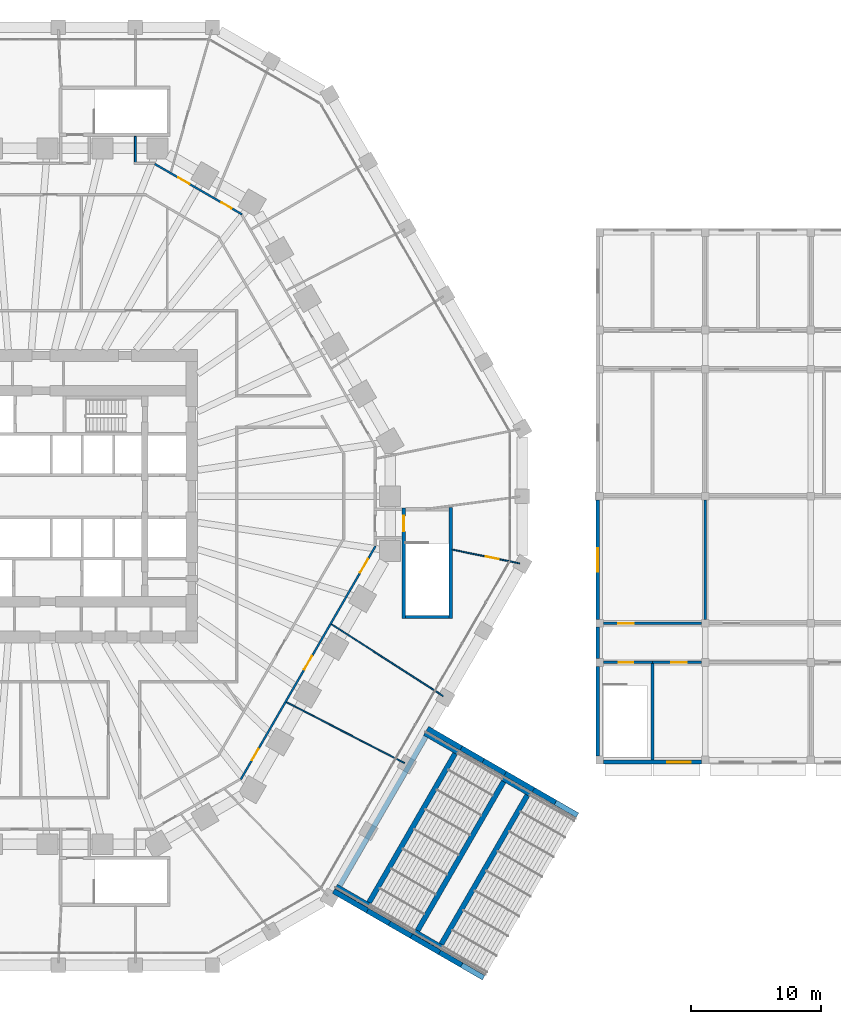
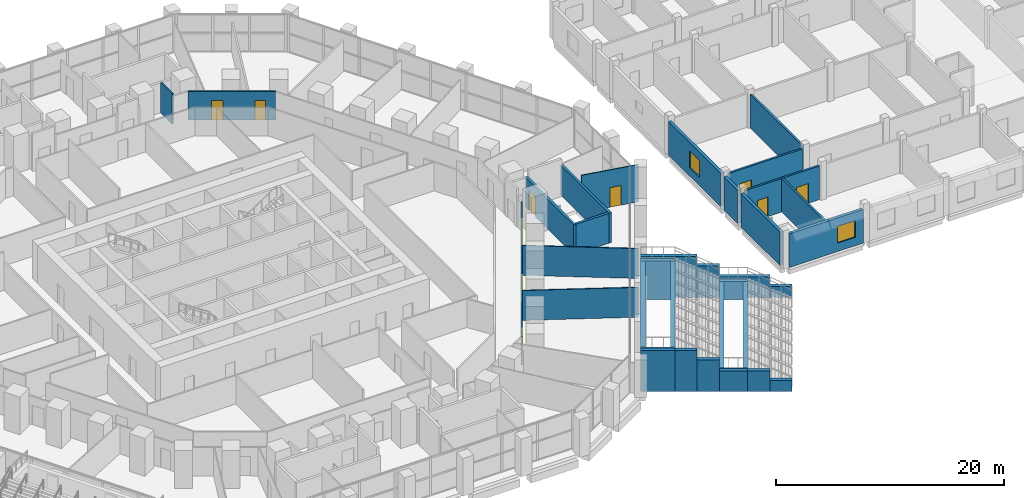
# One storey, part 24 of 38: 38 walls, 10 doors, 2 windows, 12 openings.
"""IFC4 building model written with IfcOpenShell, lengths in metres."""

from ifc_helpers import new_model, si_unit, direction, frame, frame_2d, origin, place, context, subcontext, project, spatial, rectangle, extrude, material, layer, layer_set, type_object, element, fill, save


model = new_model("IFC4")

# Units and contexts
model_context = context("Model", 3, precision=1e-05, world=origin(), true_north=direction((0.0, 1.0)))
body_context = subcontext(model_context, "Body", "Model", "MODEL_VIEW")
ifc_project = project(units=[si_unit("LENGTHUNIT", "METRE"), si_unit("AREAUNIT", "SQUARE_METRE"), si_unit("VOLUMEUNIT", "CUBIC_METRE"), si_unit("PLANEANGLEUNIT", "RADIAN"), si_unit("MASSUNIT", "GRAM", prefix="KILO")], contexts=[model_context])

# Site, building, storey
site_placement = place(None, origin())
site = spatial("IfcSite", under=ifc_project, at=site_placement, CompositionType="ELEMENT")
building_placement = place(site_placement, origin())
building = spatial("IfcBuilding", under=site, at=building_placement, Name="Frailejon Research Tower", CompositionType="ELEMENT")
storey_placement = place(building_placement, frame((0.0, 0.0, 10.199951171875)))
storey = spatial("IfcBuildingStorey", under=building, at=storey_placement, Name="L02", CompositionType="ELEMENT", Elevation=10.199951171875)

# Wall, openings, doors
ifc_material_1 = material(Name="Gypsum board and masonry partition", Category="masonry")
ifc_layer_1 = layer(ifc_material_1, 0.14990234375)
ifc_layer_set_1 = layer_set([ifc_layer_1], Name="Corridor wall EI 60, gypsum on steel studs 150")
wall_type_1 = type_object("IfcWallType", Name="Corridor wall EI 60, gypsum on steel studs 150", PredefinedType="PARTITIONING", material=ifc_layer_set_1)
wall_1_placement = place(storey_placement, frame((10.336669921875, 25.512451171875, 0.0), z_axis=(0.0, 0.0, 1.0), x_axis=(0.866023143435, -0.50000391502, 0.0)))
wall_1 = element("IfcWall", 1, at=wall_1_placement, inside=storey, type_object=wall_type_1, Name="T:IW:L02:009", PredefinedType="PARTITIONING", context=body_context, shape_type="SweptSolid", body=[
    extrude(rectangle(XDim=7.7587890625, YDim=0.14990234375, at=frame_2d((3.87939453125, 0.0))), origin(), (0.0, 0.0, 1.0), 3.050048828125),
])
opening_1_placement = place(wall_1_placement, frame((5.92724609375, 0.0, 0.0)))
opening_1 = element("IfcOpeningElement", 2, at=opening_1_placement, cuts=wall_1, Name="Opening D1060", PredefinedType="OPENING", context=body_context, shape_type="SweptSolid", body=[
    extrude(rectangle(XDim=0.89990234375, YDim=2.10009765625, at=frame_2d((0.449951171875, 1.050048828125))), frame((0.0, 0.0849609375, 0.0), z_axis=(0.0, -1.0, 0.0), x_axis=(1.0, 0.0, 0.0)), (0.0, 0.0, 1.0), 0.169921875),
])
opening_2_placement = place(wall_1_placement, frame((2.101806640625, 0.0, 0.0)))
opening_2 = element("IfcOpeningElement", 3, at=opening_2_placement, cuts=wall_1, Name="Opening D1061", PredefinedType="OPENING", context=body_context, shape_type="SweptSolid", body=[
    extrude(rectangle(XDim=1.0, YDim=2.10009765625, at=frame_2d((0.5, 1.050048828125))), frame((0.0, 0.0849609375, 0.0), z_axis=(0.0, -1.0, 0.0), x_axis=(1.0, 0.0, 0.0)), (0.0, 0.0, 1.0), 0.169921875),
])
ifc_material_2 = material(Name="Timber door leaf", Category="wood")
door_type_1 = type_object("IfcDoorType", Name="Door laboratory, timber, vision panel 900", OperationType="NOTDEFINED", PredefinedType="DOOR", material=ifc_material_2)
door_1_placement = place(opening_1_placement, origin())
door_1 = element("IfcDoor", 4, at=door_1_placement, inside=storey, type_object=door_type_1, Name="D1060", OperationType="SINGLE_SWING_RIGHT", OverallHeight=2.10009765625, OverallWidth=0.89990234375, PredefinedType="DOOR", context=body_context, shape_type="SweptSolid", body=[
    extrude(rectangle(XDim=0.89990234375, YDim=2.10009765625, at=frame_2d((0.449951171875, 1.050048828125))), frame((0.0, 0.02490234375, 0.0), z_axis=(0.0, -1.0, 0.0), x_axis=(1.0, 0.0, 0.0)), (0.0, 0.0, 1.0), 0.050048828125),
])
fill(opening_1, door_1)
ifc_material_3 = material(Name="Timber door leaf", Category="wood")
door_type_2 = type_object("IfcDoorType", Name="Door single leaf, timber, steel frame 1000", OperationType="NOTDEFINED", PredefinedType="DOOR", material=ifc_material_3)
door_2_placement = place(opening_2_placement, origin())
door_2 = element("IfcDoor", 5, at=door_2_placement, inside=storey, type_object=door_type_2, Name="D1061", OperationType="SINGLE_SWING_LEFT", OverallHeight=2.10009765625, OverallWidth=1.0, PredefinedType="DOOR", context=body_context, shape_type="SweptSolid", body=[
    extrude(rectangle(XDim=1.0, YDim=2.10009765625, at=frame_2d((0.5, 1.050048828125))), frame((0.0, 0.02490234375, 0.0), z_axis=(0.0, -1.0, 0.0), x_axis=(1.0, 0.0, 0.0)), (0.0, 0.0, 1.0), 0.050048828125),
])
fill(opening_2, door_2)

# Wall
wall_2_placement = place(storey_placement, frame((8.870849609375, 25.625, 0.0), z_axis=(0.0, 0.0, 1.0), x_axis=(0.0, 1.0, 0.0)))
element("IfcWall", 6, at=wall_2_placement, inside=storey, type_object=wall_type_1, Name="T:IW:L02:013", PredefinedType="PARTITIONING", context=body_context, shape_type="SweptSolid", body=[
    extrude(rectangle(XDim=2.0, YDim=0.14990234375, at=frame_2d((1.0, 0.0))), origin(), (0.0, 0.0, 1.0), 3.25),
])

# Wall, openings, doors
wall_3_placement = place(storey_placement, frame((16.95361328125, -21.735595703125, 0.0), z_axis=(0.0, 0.0, 1.0), x_axis=(0.499996491498, 0.86602742941, 0.0)))
wall_3 = element("IfcWall", 7, at=wall_3_placement, inside=storey, type_object=wall_type_1, Name="T:IW:L02:037", PredefinedType="PARTITIONING", context=body_context, shape_type="SweptSolid", body=[
    extrude(rectangle(XDim=20.693603515625, YDim=0.14990234375, at=frame_2d((10.3466796875, 0.0))), origin(), (0.0, 0.0, 1.0), 3.050048828125),
])
opening_3_placement = place(wall_3_placement, frame((1.70361328125, 0.0, 0.0)))
opening_3 = element("IfcOpeningElement", 8, at=opening_3_placement, cuts=wall_3, Name="Opening D1094", PredefinedType="OPENING", context=body_context, shape_type="SweptSolid", body=[
    extrude(rectangle(XDim=1.0, YDim=2.10009765625, at=frame_2d((0.5, 1.050048828125))), frame((0.0, 0.0849609375, 0.0), z_axis=(0.0, -1.0, 0.0), x_axis=(1.0, 0.0, 0.0)), (0.0, 0.0, 1.0), 0.169921875),
])
opening_4_placement = place(wall_3_placement, frame((9.74658203125, 0.0, 0.0)))
opening_4 = element("IfcOpeningElement", 9, at=opening_4_placement, cuts=wall_3, Name="Opening D1095", PredefinedType="OPENING", context=body_context, shape_type="SweptSolid", body=[
    extrude(rectangle(XDim=1.199951171875, YDim=2.10009765625, at=frame_2d((0.60009765625, 1.050048828125))), frame((0.0, 0.0849609375, 0.0), z_axis=(0.0, -1.0, 0.0), x_axis=(1.0, 0.0, 0.0)), (0.0, 0.0, 1.0), 0.169921875),
])
opening_5_placement = place(wall_3_placement, frame((18.331298828125, 0.0, 0.0)))
opening_5 = element("IfcOpeningElement", 10, at=opening_5_placement, cuts=wall_3, Name="Opening D1096", PredefinedType="OPENING", context=body_context, shape_type="SweptSolid", body=[
    extrude(rectangle(XDim=1.199951171875, YDim=2.10009765625, at=frame_2d((0.60009765625, 1.050048828125))), frame((0.0, 0.0849609375, 0.0), z_axis=(0.0, -1.0, 0.0), x_axis=(1.0, 0.0, 0.0)), (0.0, 0.0, 1.0), 0.169921875),
])
door_3_placement = place(opening_3_placement, origin())
door_3 = element("IfcDoor", 11, at=door_3_placement, inside=storey, type_object=door_type_2, Name="D1094", OperationType="SINGLE_SWING_RIGHT", OverallHeight=2.10009765625, OverallWidth=1.0, PredefinedType="DOOR", context=body_context, shape_type="SweptSolid", body=[
    extrude(rectangle(XDim=1.0, YDim=2.10009765625, at=frame_2d((0.5, 1.050048828125))), frame((0.0, 0.02490234375, 0.0), z_axis=(0.0, -1.0, 0.0), x_axis=(1.0, 0.0, 0.0)), (0.0, 0.0, 1.0), 0.050048828125),
])
fill(opening_3, door_3)
ifc_material_4 = material(Name="Timber door leaf", Category="wood")
door_type_3 = type_object("IfcDoorType", Name="Door single leaf, timber, steel frame 1200", OperationType="NOTDEFINED", PredefinedType="DOOR", material=ifc_material_4)
door_4_placement = place(opening_4_placement, origin())
door_4 = element("IfcDoor", 12, at=door_4_placement, inside=storey, type_object=door_type_3, Name="D1095", OperationType="DOUBLE_DOOR_SINGLE_SWING", OverallHeight=2.10009765625, OverallWidth=1.199951171875, PredefinedType="DOOR", context=body_context, shape_type="SweptSolid", body=[
    extrude(rectangle(XDim=1.199951171875, YDim=2.10009765625, at=frame_2d((0.60009765625, 1.050048828125))), frame((0.0, 0.02490234375, 0.0), z_axis=(0.0, -1.0, 0.0), x_axis=(1.0, 0.0, 0.0)), (0.0, 0.0, 1.0), 0.050048828125),
])
fill(opening_4, door_4)
door_5_placement = place(opening_5_placement, origin())
door_5 = element("IfcDoor", 13, at=door_5_placement, inside=storey, type_object=door_type_3, Name="D1096", OperationType="DOUBLE_DOOR_SINGLE_SWING", OverallHeight=2.10009765625, OverallWidth=1.199951171875, PredefinedType="DOOR", context=body_context, shape_type="SweptSolid", body=[
    extrude(rectangle(XDim=1.199951171875, YDim=2.10009765625, at=frame_2d((0.60009765625, 1.050048828125))), frame((0.0, 0.02490234375, 0.0), z_axis=(0.0, -1.0, 0.0), x_axis=(1.0, 0.0, 0.0)), (0.0, 0.0, 1.0), 0.050048828125),
])
fill(opening_5, door_5)

# Wall, opening, window
ifc_material_5 = material(Name="Insulated masonry cavity wall", Category="masonry")
ifc_layer_2 = layer(ifc_material_5, 0.300048828125)
ifc_layer_set_2 = layer_set([ifc_layer_2], Name="HC facade wall 300")
wall_type_2 = type_object("IfcWallType", Name="HC facade wall 300", PredefinedType="SOLIDWALL", material=ifc_layer_set_2)
wall_4_placement = place(storey_placement, frame((44.800048828125, -20.39990234375, 0.0), z_axis=(0.0, 0.0, 1.0), x_axis=(1.0, 0.0, 0.0)))
wall_4 = element("IfcWall", 14, at=wall_4_placement, inside=storey, type_object=wall_type_2, Name="HC facade wall", PredefinedType="SOLIDWALL", context=body_context, shape_type="SweptSolid", body=[
    extrude(rectangle(XDim=7.5, YDim=0.300048828125, at=frame_2d((3.75, 0.0))), origin(), (0.0, 0.0, 1.0), 3.60009765625),
])
opening_6_placement = place(wall_4_placement, frame((4.875, 0.0, 0.89990234375)))
opening_6 = element("IfcOpeningElement", 15, at=opening_6_placement, cuts=wall_4, Name="Opening HW201", PredefinedType="OPENING", context=body_context, shape_type="SweptSolid", body=[
    extrude(rectangle(XDim=1.800048828125, YDim=1.800048828125, at=frame_2d((0.89990234375, 0.89990234375))), frame((0.0, 0.159912109375, 0.0), z_axis=(0.0, -1.0, 0.0), x_axis=(1.0, 0.0, 0.0)), (0.0, 0.0, 1.0), 0.320068359375),
])
ifc_material_6 = material(Name="Aluminium framed double glazing", Category="aluminium")
window_type = type_object("IfcWindowType", Name="HC window 1800x1800", PartitioningType="SINGLE_PANEL", PredefinedType="WINDOW", material=ifc_material_6)
window_1_placement = place(opening_6_placement, origin())
window_1 = element("IfcWindow", 16, at=window_1_placement, inside=storey, type_object=window_type, Name="Window HW201 (HCW1)", OverallHeight=1.800048828125, OverallWidth=1.800048828125, PartitioningType="SINGLE_PANEL", PredefinedType="WINDOW", context=body_context, shape_type="SweptSolid", body=[
    extrude(rectangle(XDim=1.800048828125, YDim=1.800048828125, at=frame_2d((0.89990234375, 0.89990234375))), frame((0.0, 0.030029296875, 0.0), z_axis=(0.0, -1.0, 0.0), x_axis=(1.0, 0.0, 0.0)), (0.0, 0.0, 1.0), 0.06005859375),
])
fill(opening_6, window_1)

# Walls
wall_5_placement = place(storey_placement, frame((44.35009765625, -19.949951171875, 0.0), z_axis=(0.0, 0.0, 1.0), x_axis=(0.0, 1.0, 0.0)))
element("IfcWall", 17, at=wall_5_placement, inside=storey, type_object=wall_type_2, Name="HC facade wall", PredefinedType="SOLIDWALL", context=body_context, shape_type="SweptSolid", body=[
    extrude(rectangle(XDim=6.89990234375, YDim=0.300048828125, at=frame_2d((3.449951171875, 0.0))), origin(), (0.0, 0.0, 1.0), 3.60009765625),
])
wall_6_placement = place(storey_placement, frame((44.35009765625, -12.449951171875, 0.0), z_axis=(0.0, 0.0, 1.0), x_axis=(0.0, 1.0, 0.0)))
element("IfcWall", 18, at=wall_6_placement, inside=storey, type_object=wall_type_2, Name="HC facade wall", PredefinedType="SOLIDWALL", context=body_context, shape_type="SweptSolid", body=[
    extrude(rectangle(XDim=2.39990234375, YDim=0.300048828125, at=frame_2d((1.199951171875, 0.0))), origin(), (0.0, 0.0, 1.0), 3.60009765625),
])

# Wall, opening, window
wall_7_placement = place(storey_placement, frame((44.35009765625, -9.449951171875, 0.0), z_axis=(0.0, 0.0, 1.0), x_axis=(0.0, 1.0, 0.0)))
wall_7 = element("IfcWall", 19, at=wall_7_placement, inside=storey, type_object=wall_type_2, Name="HC facade wall", PredefinedType="SOLIDWALL", context=body_context, shape_type="SweptSolid", body=[
    extrude(rectangle(XDim=9.14990234375, YDim=0.300048828125, at=frame_2d((4.574951171875, 0.0))), origin(), (0.0, 0.0, 1.0), 3.60009765625),
])
opening_7_placement = place(wall_7_placement, frame((3.675048828125, 0.0, 0.89990234375)))
opening_7 = element("IfcOpeningElement", 20, at=opening_7_placement, cuts=wall_7, Name="Opening HW210", PredefinedType="OPENING", context=body_context, shape_type="SweptSolid", body=[
    extrude(rectangle(XDim=1.800048828125, YDim=1.800048828125, at=frame_2d((0.89990234375, 0.89990234375))), frame((0.0, 0.159912109375, 0.0), z_axis=(0.0, -1.0, 0.0), x_axis=(1.0, 0.0, 0.0)), (0.0, 0.0, 1.0), 0.320068359375),
])
window_2_placement = place(opening_7_placement, origin())
window_2 = element("IfcWindow", 21, at=window_2_placement, inside=storey, type_object=window_type, Name="Window HW210 (HCW1)", OverallHeight=1.800048828125, OverallWidth=1.800048828125, PartitioningType="SINGLE_PANEL", PredefinedType="WINDOW", context=body_context, shape_type="SweptSolid", body=[
    extrude(rectangle(XDim=1.800048828125, YDim=1.800048828125, at=frame_2d((0.89990234375, 0.89990234375))), frame((0.0, 0.030029296875, 0.0), z_axis=(0.0, -1.0, 0.0), x_axis=(1.0, 0.0, 0.0)), (0.0, 0.0, 1.0), 0.06005859375),
])
fill(opening_7, window_2)

# Wall, opening, door
ifc_material_7 = material(Name="Concrete C35/45", Category="concrete")
ifc_layer_3 = layer(ifc_material_7, 0.199951171875)
ifc_layer_set_3 = layer_set([ifc_layer_3], Name="HC fire wall 200")
wall_type_3 = type_object("IfcWallType", Name="HC fire wall 200", PredefinedType="SOLIDWALL", material=ifc_layer_set_3)
wall_8_placement = place(storey_placement, frame((44.800048828125, -12.75, 0.0), z_axis=(0.0, 0.0, 1.0), x_axis=(1.0, 0.0, 0.0)))
wall_8 = element("IfcWall", 22, at=wall_8_placement, inside=storey, type_object=wall_type_3, Name="HC fire-resisting wall", PredefinedType="SOLIDWALL", context=body_context, shape_type="SweptSolid", body=[
    extrude(rectangle(XDim=3.75, YDim=0.199951171875, at=frame_2d((1.875, 0.0))), origin(), (0.0, 0.0, 1.0), 3.60009765625),
])
opening_8_placement = place(wall_8_placement, frame((1.175048828125, 0.0, 0.0)))
opening_8 = element("IfcOpeningElement", 23, at=opening_8_placement, cuts=wall_8, Name="Opening HD203", PredefinedType="OPENING", context=body_context, shape_type="SweptSolid", body=[
    extrude(rectangle(XDim=1.10009765625, YDim=2.10009765625, at=frame_2d((0.550048828125, 1.050048828125))), frame((0.0, 0.10986328125, 0.0), z_axis=(0.0, -1.0, 0.0), x_axis=(1.0, 0.0, 0.0)), (0.0, 0.0, 1.0), 0.219970703125),
])
ifc_material_8 = material(Name="Steel fire door leaf", Category="steel")
door_type_4 = type_object("IfcDoorType", Name="HC stair door 1100 right", OperationType="SINGLE_SWING_RIGHT", PredefinedType="DOOR", material=ifc_material_8)
door_6_placement = place(opening_8_placement, origin())
door_6 = element("IfcDoor", 24, at=door_6_placement, inside=storey, type_object=door_type_4, Name="Door HD203", OperationType="SINGLE_SWING_RIGHT", OverallHeight=2.10009765625, OverallWidth=1.10009765625, PredefinedType="DOOR", context=body_context, shape_type="SweptSolid", body=[
    extrude(rectangle(XDim=1.10009765625, YDim=2.10009765625, at=frame_2d((0.550048828125, 1.050048828125))), frame((0.0, 0.02490234375, 0.0), z_axis=(0.0, -1.0, 0.0), x_axis=(1.0, 0.0, 0.0)), (0.0, 0.0, 1.0), 0.050048828125),
])
fill(opening_8, door_6)

# Wall
wall_9_placement = place(storey_placement, frame((48.550048828125, -20.25, 0.0), z_axis=(0.0, 0.0, 1.0), x_axis=(0.0, 1.0, 0.0)))
element("IfcWall", 25, at=wall_9_placement, inside=storey, type_object=wall_type_3, Name="HC fire-resisting wall", PredefinedType="SOLIDWALL", context=body_context, shape_type="SweptSolid", body=[
    extrude(rectangle(XDim=7.39990234375, YDim=0.199951171875, at=frame_2d((3.699951171875, 0.0))), origin(), (0.0, 0.0, 1.0), 3.60009765625),
])

# Wall, opening, door
ifc_material_9 = material(Name="Masonry blockwork partition", Category="masonry")
ifc_layer_4 = layer(ifc_material_9, 0.199951171875)
ifc_layer_set_4 = layer_set([ifc_layer_4], Name="HC partition 200")
wall_type_4 = type_object("IfcWallType", Name="HC partition 200", PredefinedType="PARTITIONING", material=ifc_layer_set_4)
wall_10_placement = place(storey_placement, frame((48.550048828125, -12.75, 0.0), z_axis=(0.0, 0.0, 1.0), x_axis=(1.0, 0.0, 0.0)))
wall_10 = element("IfcWall", 26, at=wall_10_placement, inside=storey, type_object=wall_type_4, Name="HC partition", PredefinedType="PARTITIONING", context=body_context, shape_type="SweptSolid", body=[
    extrude(rectangle(XDim=3.75, YDim=0.199951171875, at=frame_2d((1.875, 0.0))), origin(), (0.0, 0.0, 1.0), 3.60009765625),
])
opening_9_placement = place(wall_10_placement, frame((1.425048828125, 0.0, 0.0)))
opening_9 = element("IfcOpeningElement", 27, at=opening_9_placement, cuts=wall_10, Name="Opening HD204", PredefinedType="OPENING", context=body_context, shape_type="SweptSolid", body=[
    extrude(rectangle(XDim=1.199951171875, YDim=2.10009765625, at=frame_2d((0.60009765625, 1.050048828125))), frame((0.0, 0.10986328125, 0.0), z_axis=(0.0, -1.0, 0.0), x_axis=(1.0, 0.0, 0.0)), (0.0, 0.0, 1.0), 0.219970703125),
])
ifc_material_10 = material(Name="Timber veneered fire door leaf", Category="wood")
door_type_5 = type_object("IfcDoorType", Name="HC door 1200 left", OperationType="SINGLE_SWING_LEFT", PredefinedType="DOOR", material=ifc_material_10)
door_7_placement = place(opening_9_placement, origin())
door_7 = element("IfcDoor", 28, at=door_7_placement, inside=storey, type_object=door_type_5, Name="Door HD204", OperationType="SINGLE_SWING_LEFT", OverallHeight=2.10009765625, OverallWidth=1.199951171875, PredefinedType="DOOR", context=body_context, shape_type="SweptSolid", body=[
    extrude(rectangle(XDim=1.199951171875, YDim=2.10009765625, at=frame_2d((0.60009765625, 1.050048828125))), frame((0.0, 0.02490234375, 0.0), z_axis=(0.0, -1.0, 0.0), x_axis=(1.0, 0.0, 0.0)), (0.0, 0.0, 1.0), 0.050048828125),
])
fill(opening_9, door_7)

wall_11_placement = place(storey_placement, frame((44.800048828125, -9.75, 0.0), z_axis=(0.0, 0.0, 1.0), x_axis=(1.0, 0.0, 0.0)))
wall_11 = element("IfcWall", 29, at=wall_11_placement, inside=storey, type_object=wall_type_4, Name="HC partition", PredefinedType="PARTITIONING", context=body_context, shape_type="SweptSolid", body=[
    extrude(rectangle(XDim=7.5, YDim=0.199951171875, at=frame_2d((3.75, 0.0))), origin(), (0.0, 0.0, 1.0), 3.60009765625),
])
opening_10_placement = place(wall_11_placement, frame((1.125, 0.0, 0.0)))
opening_10 = element("IfcOpeningElement", 30, at=opening_10_placement, cuts=wall_11, Name="Opening HD209", PredefinedType="OPENING", context=body_context, shape_type="SweptSolid", body=[
    extrude(rectangle(XDim=1.199951171875, YDim=2.10009765625, at=frame_2d((0.60009765625, 1.050048828125))), frame((0.0, 0.10986328125, 0.0), z_axis=(0.0, -1.0, 0.0), x_axis=(1.0, 0.0, 0.0)), (0.0, 0.0, 1.0), 0.219970703125),
])
door_8_placement = place(opening_10_placement, origin())
door_8 = element("IfcDoor", 31, at=door_8_placement, inside=storey, type_object=door_type_5, Name="Door HD209", OperationType="SINGLE_SWING_LEFT", OverallHeight=2.10009765625, OverallWidth=1.199951171875, PredefinedType="DOOR", context=body_context, shape_type="SweptSolid", body=[
    extrude(rectangle(XDim=1.199951171875, YDim=2.10009765625, at=frame_2d((0.60009765625, 1.050048828125))), frame((0.0, 0.02490234375, 0.0), z_axis=(0.0, -1.0, 0.0), x_axis=(1.0, 0.0, 0.0)), (0.0, 0.0, 1.0), 0.050048828125),
])
fill(opening_10, door_8)

# Walls
wall_12_placement = place(storey_placement, frame((52.60009765625, -9.449951171875, 0.0), z_axis=(0.0, 0.0, 1.0), x_axis=(0.0, 1.0, 0.0)))
element("IfcWall", 32, at=wall_12_placement, inside=storey, type_object=wall_type_4, Name="HC partition", PredefinedType="PARTITIONING", context=body_context, shape_type="SweptSolid", body=[
    extrude(rectangle(XDim=9.14990234375, YDim=0.199951171875, at=frame_2d((4.574951171875, 0.0))), origin(), (0.0, 0.0, 1.0), 3.60009765625),
])
ifc_material_11 = material(Name="Gypsum board and masonry partition", Category="masonry")
ifc_layer_5 = layer(ifc_material_11, 0.10009765625)
ifc_layer_set_5 = layer_set([ifc_layer_5], Name="Partition, gypsum on steel studs 100")
wall_type_5 = type_object("IfcWallType", Name="Partition, gypsum on steel studs 100", PredefinedType="PARTITIONING", material=ifc_layer_set_5)
for number, where, z_axis, x_axis, name in (
    (33, (20.465087890625, -15.802978515625, 0.0), (0.0, 0.0, 1.0), (0.888930498325, -0.458042104122, 0.0), "T:IW:L02:105"),
    (34, (23.91845703125, -9.82177734375, 0.0), (0.0, 0.0, 1.0), (0.841149662558, -0.540802408628, 0.0), "T:IW:L02:106"),
):
    element("IfcWall", number, at=place(storey_placement, frame(where, z_axis=z_axis, x_axis=x_axis)), inside=storey, type_object=wall_type_5, Name=name, PredefinedType="PARTITIONING", context=body_context, shape_type="SweptSolid", body=[
        extrude(rectangle(XDim=10.186767578125, YDim=0.10009765625, at=frame_2d((5.09326171875, 0.0))), origin(), (0.0, 0.0, 1.0), 3.199951171875),
    ])

# Wall, opening, door
wall_13_placement = place(storey_placement, frame((33.185302734375, -4.093017578125, 0.0), z_axis=(0.0, 0.0, 1.0), x_axis=(0.979649538963, -0.200715671561, 0.0)))
wall_13 = element("IfcWall", 35, at=wall_13_placement, inside=storey, type_object=wall_type_5, Name="T:IW:L02:107", PredefinedType="PARTITIONING", context=body_context, shape_type="SweptSolid", body=[
    extrude(rectangle(XDim=5.28515625, YDim=0.10009765625, at=frame_2d((2.642578125, 0.0))), origin(), (0.0, 0.0, 1.0), 4.0),
])
opening_11_placement = place(wall_13_placement, frame((2.636474609375, 0.0, 0.0)))
opening_11 = element("IfcOpeningElement", 36, at=opening_11_placement, cuts=wall_13, Name="Opening D1098", PredefinedType="OPENING", context=body_context, shape_type="SweptSolid", body=[
    extrude(rectangle(XDim=1.0, YDim=2.10009765625, at=frame_2d((0.5, 1.050048828125))), frame((0.0, 0.06005859375, 0.0), z_axis=(0.0, -1.0, 0.0), x_axis=(1.0, 0.0, 0.0)), (0.0, 0.0, 1.0), 0.1201171875),
])
door_9_placement = place(opening_11_placement, origin())
door_9 = element("IfcDoor", 37, at=door_9_placement, inside=storey, type_object=door_type_2, Name="D1098", OperationType="SINGLE_SWING_LEFT", OverallHeight=2.10009765625, OverallWidth=1.0, PredefinedType="DOOR", context=body_context, shape_type="SweptSolid", body=[
    extrude(rectangle(XDim=1.0, YDim=2.10009765625, at=frame_2d((0.5, 1.050048828125))), frame((0.0, 0.02490234375, 0.0), z_axis=(0.0, -1.0, 0.0), x_axis=(1.0, 0.0, 0.0)), (0.0, 0.0, 1.0), 0.050048828125),
])
fill(opening_11, door_9)

# Wall
ifc_material_12 = material(Name="Concrete C50/60", Category="concrete")
ifc_layer_6 = layer(ifc_material_12, 0.25)
ifc_layer_set_6 = layer_set([ifc_layer_6], Name="Stair enclosure wall EI 120, Concrete C50/60 250")
wall_type_6 = type_object("IfcWallType", Name="Stair enclosure wall EI 120, Concrete C50/60 250", PredefinedType="SOLIDWALL", material=ifc_layer_set_6)
wall_14_placement = place(storey_placement, frame((29.587890625, -9.263916015625, 0.0), z_axis=(0.0, 0.0, 1.0), x_axis=(1.0, 0.0, 0.0)))
element("IfcWall", 38, at=wall_14_placement, inside=storey, type_object=wall_type_6, Name="T:IW:L02:124", PredefinedType="SOLIDWALL", context=body_context, shape_type="SweptSolid", body=[
    extrude(rectangle(XDim=3.349853515625, YDim=0.25, at=frame_2d((1.6748046875, 0.0))), origin(), (0.0, 0.0, 1.0), 3.199951171875),
])

# Wall, opening, door
wall_15_placement = place(storey_placement, frame((29.462890625, -9.388916015625, 0.0), z_axis=(0.0, 0.0, 1.0), x_axis=(0.0, 1.0, 0.0)))
wall_15 = element("IfcWall", 39, at=wall_15_placement, inside=storey, type_object=wall_type_6, Name="T:IW:L02:125", PredefinedType="SOLIDWALL", context=body_context, shape_type="SweptSolid", body=[
    extrude(rectangle(XDim=8.4951171875, YDim=0.25, at=frame_2d((4.24755859375, 0.0))), origin(), (0.0, 0.0, 1.0), 3.199951171875),
])
opening_12_placement = place(wall_15_placement, frame((7.89501953125, 0.0, 0.0), z_axis=(0.0, 0.0, 1.0), x_axis=(-1.0, 0.0, 0.0)))
opening_12 = element("IfcOpeningElement", 40, at=opening_12_placement, cuts=wall_15, Name="Opening PSD35", PredefinedType="OPENING", context=body_context, shape_type="SweptSolid", body=[
    extrude(rectangle(XDim=1.199951171875, YDim=2.10009765625, at=frame_2d((0.60009765625, 1.050048828125))), frame((0.0, 0.135009765625, 0.0), z_axis=(0.0, -1.0, 0.0), x_axis=(1.0, 0.0, 0.0)), (0.0, 0.0, 1.0), 0.27001953125),
])
ifc_material_13 = material(Name="Steel door leaf", Category="steel")
door_type_6 = type_object("IfcDoorType", Name="Door exit passage, steel, fire rated 1200", OperationType="NOTDEFINED", PredefinedType="DOOR", material=ifc_material_13)
door_10_placement = place(opening_12_placement, origin())
door_10 = element("IfcDoor", 41, at=door_10_placement, inside=storey, type_object=door_type_6, Name="PSD35", OperationType="SINGLE_SWING_RIGHT", OverallHeight=2.10009765625, OverallWidth=1.199951171875, PredefinedType="DOOR", context=body_context, shape_type="SweptSolid", body=[
    extrude(rectangle(XDim=1.199951171875, YDim=2.10009765625, at=frame_2d((0.60009765625, 1.050048828125))), frame((0.0, 0.02490234375, 0.0), z_axis=(0.0, -1.0, 0.0), x_axis=(1.0, 0.0, 0.0)), (0.0, 0.0, 1.0), 0.050048828125),
])
fill(opening_12, door_10)

# Walls
wall_16_placement = place(storey_placement, frame((33.062744140625, -9.388916015625, 0.0), z_axis=(0.0, 0.0, 1.0), x_axis=(0.0, 1.0, 0.0)))
element("IfcWall", 42, at=wall_16_placement, inside=storey, type_object=wall_type_6, Name="T:IW:L02:127", PredefinedType="SOLIDWALL", context=body_context, shape_type="SweptSolid", body=[
    extrude(rectangle(XDim=8.52001953125, YDim=0.25, at=frame_2d((4.260009765625, 0.0))), origin(), (0.0, 0.0, 1.0), 3.199951171875),
])
ifc_material_14 = material(Name="Concrete C35/45", Category="concrete")
ifc_layer_7 = layer(ifc_material_14, 0.39990234375)
ifc_layer_set_7 = layer_set([ifc_layer_7], Name="Stair plinth wall 400")
wall_type_7 = type_object("IfcWallType", Name="Stair plinth wall 400", PredefinedType="SOLIDWALL", material=ifc_layer_set_7)
for number, where, z_axis, x_axis, name in (
    (43, (24.27685546875, -29.951171875, 0.0), (0.0, 0.0, 1.0), (0.866031096941, -0.499990139034, 0.0), "Broad stair E plinth"),
    (44, (31.076904296875, -18.173095703125, 0.0), (0.0, 0.0, 1.0), (0.866031096941, -0.499990139034, 0.0), "Broad stair E plinth"),
):
    element("IfcWall", number, at=place(storey_placement, frame(where, z_axis=z_axis, x_axis=x_axis)), inside=storey, type_object=wall_type_7, Name=name, PredefinedType="SOLIDWALL", context=body_context, shape_type="SweptSolid", body=[
        extrude(rectangle(XDim=3.0, YDim=0.39990234375, at=frame_2d((1.5, 0.0))), origin(), (0.0, 0.0, 1.0), 4.199951171875),
    ])
for number, where, z_axis, x_axis, name in (
    (45, (24.550048828125, -29.8779296875, 0.0), (0.0, 0.0, 1.0), (0.500002094529, 0.866024194504, 0.0), "Broad stair E plinth"),
    (46, (26.8017578125, -31.177978515625, 0.0), (0.0, 0.0, 1.0), (0.500002094529, 0.866024194504, 0.0), "Broad stair E plinth"),
):
    element("IfcWall", number, at=place(storey_placement, frame(where, z_axis=z_axis, x_axis=x_axis)), inside=storey, type_object=wall_type_7, Name=name, PredefinedType="SOLIDWALL", context=body_context, shape_type="SweptSolid", body=[
        extrude(rectangle(XDim=13.2001953125, YDim=0.39990234375, at=frame_2d((6.60009765625, 0.0))), origin(), (0.0, 0.0, 1.0), 4.199951171875),
    ])
for number, where, z_axis, x_axis, name in (
    (47, (30.25244140625, -33.401123046875, 0.0), (0.0, 0.0, 1.0), (0.866022959057, -0.500004234368, 0.0), "Broad stair E plinth"),
    (48, (37.052490234375, -21.623291015625, 0.0), (0.0, 0.0, 1.0), (0.866022959057, -0.500004234368, 0.0), "Broad stair E plinth"),
):
    element("IfcWall", number, at=place(storey_placement, frame(where, z_axis=z_axis, x_axis=x_axis)), inside=storey, type_object=wall_type_7, Name=name, PredefinedType="SOLIDWALL", context=body_context, shape_type="SweptSolid", body=[
        extrude(rectangle(XDim=2.5, YDim=0.39990234375, at=frame_2d((1.25, 0.0))), origin(), (0.0, 0.0, 1.0), 2.0),
    ])
wall_17_placement = place(storey_placement, frame((30.525634765625, -33.327880859375, 0.0), z_axis=(0.0, 0.0, 1.0), x_axis=(0.500010103361, 0.866019570528, 0.0)))
element("IfcWall", 49, at=wall_17_placement, inside=storey, type_object=wall_type_7, Name="Broad stair E plinth", PredefinedType="SOLIDWALL", context=body_context, shape_type="SweptSolid", body=[
    extrude(rectangle(XDim=13.199951171875, YDim=0.39990234375, at=frame_2d((6.60009765625, 0.0))), origin(), (0.0, 0.0, 1.0), 2.0),
])
wall_18_placement = place(storey_placement, frame((32.34423828125, -34.3779296875, 0.0), z_axis=(0.0, 0.0, 1.0), x_axis=(0.500002094529, 0.866024194504, 0.0)))
element("IfcWall", 50, at=wall_18_placement, inside=storey, type_object=wall_type_7, Name="Broad stair E plinth", PredefinedType="SOLIDWALL", context=body_context, shape_type="SweptSolid", body=[
    extrude(rectangle(XDim=13.2001953125, YDim=0.39990234375, at=frame_2d((6.60009765625, 0.0))), origin(), (0.0, 0.0, 1.0), 2.0),
])
for number, where, z_axis, x_axis, name in (
    (51, (24.076904296875, -30.297607421875, 0.0), (0.0, 0.0, 1.0), (0.866031096941, -0.499990139034, 0.0), "Broad stair E cheek wall"),
    (52, (31.27685546875, -17.826904296875, 0.0), (0.0, 0.0, 1.0), (0.866031096941, -0.499990139034, 0.0), "Broad stair E cheek wall"),
):
    element("IfcWall", number, at=place(storey_placement, frame(where, z_axis=z_axis, x_axis=x_axis)), inside=storey, type_object=wall_type_7, Name=name, PredefinedType="SOLIDWALL", context=body_context, shape_type="SweptSolid", body=[
        extrude(rectangle(XDim=3.0, YDim=0.39990234375, at=frame_2d((1.5, 0.0))), origin(), (0.0, 0.0, 1.0), 4.400146484375),
    ])
for number, where, z_axis, x_axis, name in (
    (53, (26.675048828125, -31.797607421875, 0.0), (0.0, 0.0, 1.0), (0.866000020948, -0.500043961785, 0.0), "Broad stair E cheek wall"),
    (54, (33.875, -19.326904296875, 0.0), (0.0, 0.0, 1.0), (0.866054235095, -0.49995005938, 0.0), "Broad stair E cheek wall"),
):
    element("IfcWall", number, at=place(storey_placement, frame(where, z_axis=z_axis, x_axis=x_axis)), inside=storey, type_object=wall_type_7, Name=name, PredefinedType="SOLIDWALL", context=body_context, shape_type="SweptSolid", body=[
        extrude(rectangle(XDim=1.949951171875, YDim=0.39990234375, at=frame_2d((0.97509765625, 0.0))), origin(), (0.0, 0.0, 1.0), 4.400146484375),
    ])
for number, where, z_axis, x_axis, name in (
    (55, (28.36376953125, -32.772705078125, 0.0), (0.0, 0.0, 1.0), (0.866054235095, -0.49995005938, 0.0), "Broad stair E cheek wall"),
    (56, (35.563720703125, -20.3017578125, 0.0), (0.0, 0.0, 1.0), (0.866000020948, -0.500043961785, 0.0), "Broad stair E cheek wall"),
):
    element("IfcWall", number, at=place(storey_placement, frame(where, z_axis=z_axis, x_axis=x_axis)), inside=storey, type_object=wall_type_7, Name=name, PredefinedType="SOLIDWALL", context=body_context, shape_type="SweptSolid", body=[
        extrude(rectangle(XDim=1.949951171875, YDim=0.39990234375, at=frame_2d((0.97509765625, 0.0))), origin(), (0.0, 0.0, 1.0), 3.378662109375),
    ])
for number, where, z_axis, x_axis, name in (
    (57, (30.052490234375, -33.74755859375, 0.0), (0.0, 0.0, 1.0), (0.866022959057, -0.500004234368, 0.0), "Broad stair E cheek wall"),
    (58, (37.25244140625, -21.27685546875, 0.0), (0.0, 0.0, 1.0), (0.866022959057, -0.500004234368, 0.0), "Broad stair E cheek wall"),
):
    element("IfcWall", number, at=place(storey_placement, frame(where, z_axis=z_axis, x_axis=x_axis)), inside=storey, type_object=wall_type_7, Name=name, PredefinedType="SOLIDWALL", context=body_context, shape_type="SweptSolid", body=[
        extrude(rectangle(XDim=2.5, YDim=0.39990234375, at=frame_2d((1.25, 0.0))), origin(), (0.0, 0.0, 1.0), 2.199951171875),
    ])
for number, where, z_axis, x_axis, name in (
    (59, (32.217529296875, -34.99755859375, 0.0), (0.0, 0.0, 1.0), (0.866000020948, -0.500043961785, 0.0), "Broad stair E cheek wall"),
    (60, (39.41748046875, -22.52685546875, 0.0), (0.0, 0.0, 1.0), (0.866054235095, -0.49995005938, 0.0), "Broad stair E cheek wall"),
):
    element("IfcWall", number, at=place(storey_placement, frame(where, z_axis=z_axis, x_axis=x_axis)), inside=storey, type_object=wall_type_7, Name=name, PredefinedType="SOLIDWALL", context=body_context, shape_type="SweptSolid", body=[
        extrude(rectangle(XDim=1.949951171875, YDim=0.39990234375, at=frame_2d((0.97509765625, 0.0))), origin(), (0.0, 0.0, 1.0), 2.199951171875),
    ])
for number, where, z_axis, x_axis, name in (
    (61, (33.90625, -35.97265625, 0.0), (0.0, 0.0, 1.0), (0.866085525409, -0.49989585183, 0.0), "Broad stair E cheek wall"),
    (62, (41.106201171875, -23.501708984375, 0.0), (0.0, 0.0, 1.0), (0.866031321059, -0.49998975084, 0.0), "Broad stair E cheek wall"),
):
    element("IfcWall", number, at=place(storey_placement, frame(where, z_axis=z_axis, x_axis=x_axis)), inside=storey, type_object=wall_type_7, Name=name, PredefinedType="SOLIDWALL", context=body_context, shape_type="SweptSolid", body=[
        extrude(rectangle(XDim=1.9501953125, YDim=0.39990234375, at=frame_2d((0.97509765625, 0.0))), origin(), (0.0, 0.0, 1.0), 1.1787109375),
    ])

save(model, "model.ifc")
